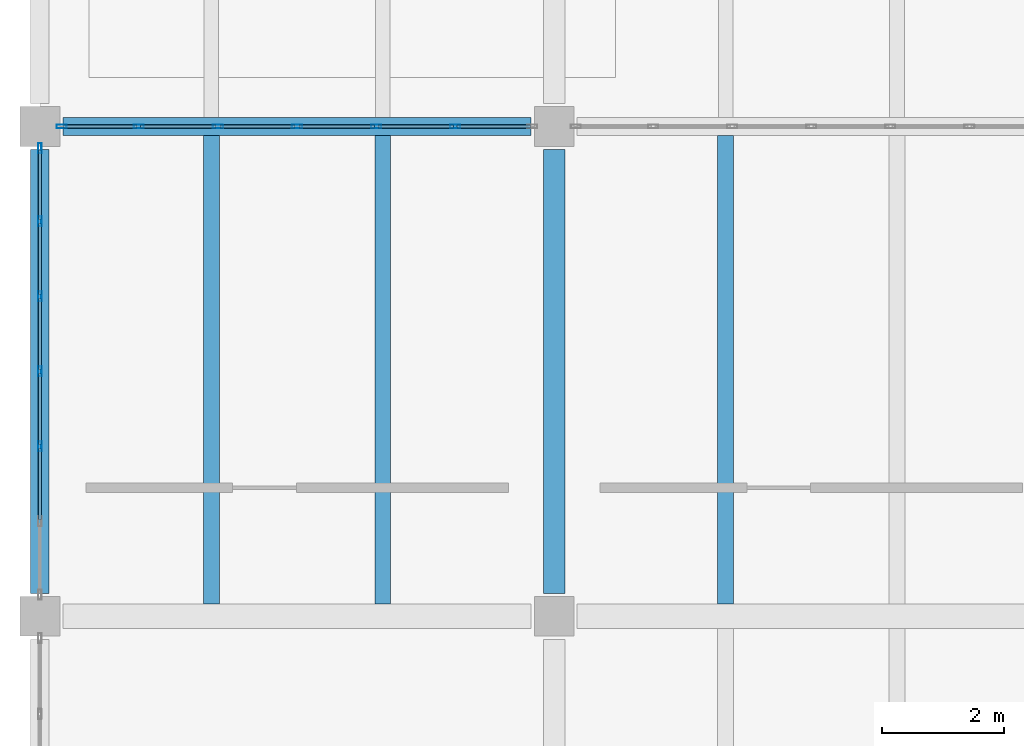
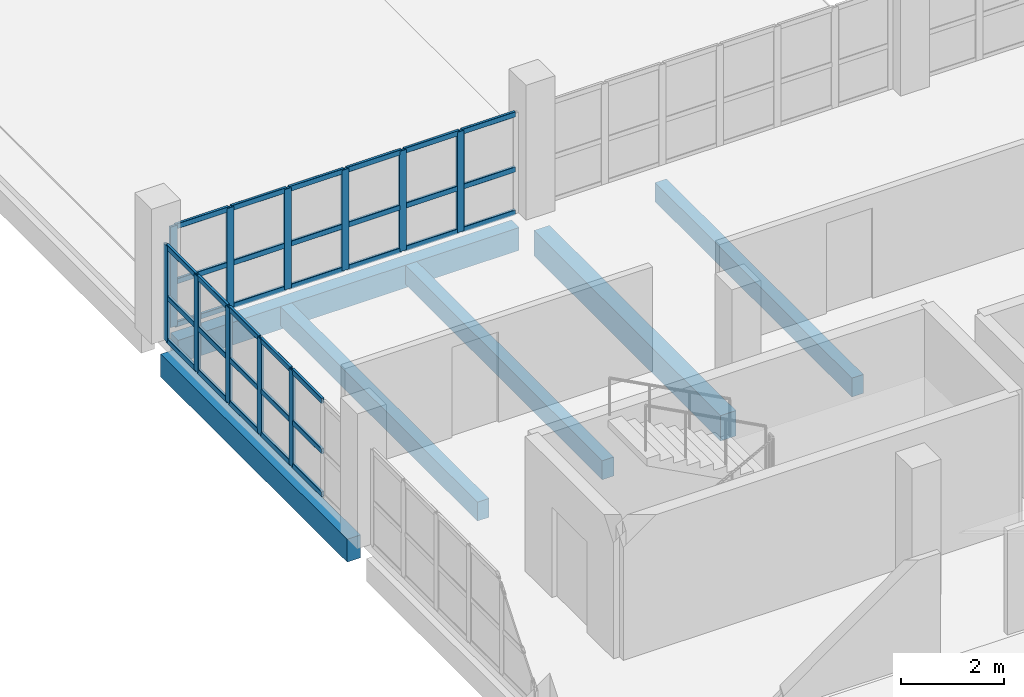
# One storey, part 9 of 33: 44 members, 6 beams, 2 elements without a shape of their own.
"""IFC4 building model written with IfcOpenShell, lengths in metres."""

from ifc_helpers import new_model, si_unit, direction, frame, origin, origin_2d, place, context, subcontext, project, spatial, rectangle, hollow_rectangle, extrude, material, layer, layer_set, material_profile, profile_set, type_object, element, aggregate, save


model = new_model("IFC4")

# Units and contexts
model_context = context("Model", 3, precision=1e-05, world=origin(), true_north=direction((0.0, 1.0)))
body_context = subcontext(model_context, "Body", "Model", "MODEL_VIEW")
ifc_project = project(units=[si_unit("LENGTHUNIT", "METRE"), si_unit("AREAUNIT", "SQUARE_METRE"), si_unit("VOLUMEUNIT", "CUBIC_METRE"), si_unit("PLANEANGLEUNIT", "RADIAN"), si_unit("MASSUNIT", "GRAM", prefix="KILO"), si_unit("THERMODYNAMICTEMPERATUREUNIT", "KELVIN"), si_unit("POWERUNIT", "WATT")], contexts=[model_context])

# Site, building, storey
site_placement = place(None, origin())
site = spatial("IfcSite", under=ifc_project, at=site_placement, CompositionType="ELEMENT")
building_placement = place(site_placement, origin())
building = spatial("IfcBuilding", under=site, at=building_placement, Name="Mavoryth Pier Ferry Terminal", CompositionType="ELEMENT")
storey_placement = place(building_placement, frame((0.0, 0.0, 13.1201171875)))
storey = spatial("IfcBuildingStorey", under=building, at=storey_placement, Name="L03", CompositionType="ELEMENT", Elevation=13.1201171875)

# Beams
ifc_material_1 = material(Name="Concrete C35/45", Category="concrete")
ifc_material_profile_1 = material_profile(ifc_material_1, rectangle(XDim=0.35009765625, YDim=0.60009765625, at=origin_2d()), Name="RC 350x600", Category="concrete")
ifc_profile_set_1 = profile_set([ifc_material_profile_1], Name="Concrete C35/45 - RC 350x600")
beam_type_1 = type_object("IfcBeamType", Name="Girder-RC-350x600", PredefinedType="BEAM", material=ifc_profile_set_1)
beam_1_placement = place(storey_placement, frame((50.39990234375, 14.375, -0.56005859375), z_axis=(0.0, 1.0, 0.0), x_axis=(-1.0, 0.0, 0.0)))
element("IfcBeam", 1, at=beam_1_placement, inside=storey, type_object=beam_type_1, Name="Beam B03-BG08-1262", PredefinedType="BEAM", context=body_context, shape_type="SweptSolid", body=[
    extrude(rectangle(XDim=0.35009765625, YDim=0.60009765625, at=origin_2d()), origin(), (0.0, 0.0, 1.0), 7.25),
])
ifc_material_profile_2 = material_profile(ifc_material_1, rectangle(XDim=0.260009765625, YDim=0.449951171875, at=origin_2d()), Name="RC 260x450", Category="concrete")
ifc_profile_set_2 = profile_set([ifc_material_profile_2], Name="Concrete C35/45 - RC 260x450")
beam_type_2 = type_object("IfcBeamType", Name="Joist-RC-260x450", PredefinedType="JOIST", material=ifc_profile_set_2)
for number, where, z_axis, x_axis, name in (
    (2, (44.800048828125, 14.199951171875, -0.485107421875), (0.0, 1.0, 0.0), (-1.0, 0.0, 0.0), "Beam B03-BJ03-1280"),
    (3, (47.60009765625, 14.199951171875, -0.485107421875), (0.0, 1.0, 0.0), (-1.0, 0.0, 0.0), "Beam B03-BJ03-1281"),
    (4, (53.199951171875, 14.199951171875, -0.485107421875), (0.0, 1.0, 0.0), (-1.0, 0.0, 0.0), "Beam B03-BJ03-1286"),
):
    element("IfcBeam", number, at=place(storey_placement, frame(where, z_axis=z_axis, x_axis=x_axis)), inside=storey, type_object=beam_type_2, Name=name, PredefinedType="JOIST", context=body_context, shape_type="SweptSolid", body=[
        extrude(rectangle(XDim=0.260009765625, YDim=0.449951171875, at=origin_2d()), origin(), (0.0, 0.0, 1.0), 7.650146484375),
    ])

# Curtain wall, members
ifc_material_2 = material(Name="Anodised Aluminium and Solar-Control Low-E Glass", Category="aluminium")
ifc_layer = layer(ifc_material_2, 0.239990234375, Name="Anodised Aluminium and Solar-Control Low-E Glass", Category="aluminium")
ifc_layer_set = layer_set([ifc_layer], Name="Anodised Aluminium and Solar-Control Low-E Glass - CW-Operations-Mod1200")
curtain_wall_type = type_object("IfcCurtainWallType", Name="CW-Operations-Mod1200", PredefinedType="USERDEFINED", material=ifc_layer_set)
curtain_wall_1_placement = place(storey_placement, origin())
curtain_wall_1 = element("IfcCurtainWall", 5, at=curtain_wall_1_placement, inside=storey, type_object=curtain_wall_type, Name="Curtain Wall CW-0322-137", ObjectType="UNITISED CURTAIN WALL", PredefinedType="USERDEFINED")
ifc_material_3 = material(Name="Anodised Aluminium EN AW-6063", Category="aluminium")
ifc_material_profile_3 = material_profile(ifc_material_3, hollow_rectangle(XDim=0.06005859375, YDim=0.1650390625, WallThickness=0.00390625, InnerFilletRadius=0.00390625, OuterFilletRadius=0.008056640625, at=origin_2d()), Name="AL-MULL 165x60x4", Category="aluminium")
ifc_profile_set_3 = profile_set([ifc_material_profile_3], Name="Anodised Aluminium EN AW-6063 - AL-MULL 165x60x4")
member_type_1 = type_object("IfcMemberType", Name="Mullion-Alum-165x60", PredefinedType="MULLION", material=ifc_profile_set_3)
member_1_placement = place(storey_placement, frame((48.783447265625, 22.0, 0.0), z_axis=(0.0, 0.0, 1.0), x_axis=(0.0, -1.0, 0.0)))
member_1 = element("IfcMember", 6, at=member_1_placement, type_object=member_type_1, Name="CW06 mullion 2", PredefinedType="MULLION", context=body_context, shape_type="SweptSolid", body=[
    extrude(hollow_rectangle(XDim=0.06005859375, YDim=0.1650390625, WallThickness=0.00390625, InnerFilletRadius=0.00390625, OuterFilletRadius=0.008056640625, at=origin_2d()), origin(), (0.0, 0.0, 1.0), 2.384765625),
])
member_2_placement = place(storey_placement, frame((47.49169921875, 22.0, 0.0), z_axis=(0.0, 0.0, 1.0), x_axis=(0.0, -1.0, 0.0)))
member_2 = element("IfcMember", 7, at=member_2_placement, type_object=member_type_1, Name="CW06 mullion 3", PredefinedType="MULLION", context=body_context, shape_type="SweptSolid", body=[
    extrude(hollow_rectangle(XDim=0.06005859375, YDim=0.1650390625, WallThickness=0.00390625, InnerFilletRadius=0.00390625, OuterFilletRadius=0.008056640625, at=origin_2d()), origin(), (0.0, 0.0, 1.0), 2.384765625),
])
member_3_placement = place(storey_placement, frame((46.199951171875, 22.0, 0.0), z_axis=(0.0, 0.0, 1.0), x_axis=(0.0, -1.0, 0.0)))
member_3 = element("IfcMember", 8, at=member_3_placement, type_object=member_type_1, Name="CW06 mullion 4", PredefinedType="MULLION", context=body_context, shape_type="SweptSolid", body=[
    extrude(hollow_rectangle(XDim=0.06005859375, YDim=0.1650390625, WallThickness=0.00390625, InnerFilletRadius=0.00390625, OuterFilletRadius=0.008056640625, at=origin_2d()), origin(), (0.0, 0.0, 1.0), 2.384765625),
])
member_4_placement = place(storey_placement, frame((44.908447265625, 22.0, 0.0), z_axis=(0.0, 0.0, 1.0), x_axis=(0.0, -1.0, 0.0)))
member_4 = element("IfcMember", 9, at=member_4_placement, type_object=member_type_1, Name="CW06 mullion 5", PredefinedType="MULLION", context=body_context, shape_type="SweptSolid", body=[
    extrude(hollow_rectangle(XDim=0.06005859375, YDim=0.1650390625, WallThickness=0.00390625, InnerFilletRadius=0.00390625, OuterFilletRadius=0.008056640625, at=origin_2d()), origin(), (0.0, 0.0, 1.0), 2.384765625),
])
member_5_placement = place(storey_placement, frame((43.61669921875, 22.0, 0.0), z_axis=(0.0, 0.0, 1.0), x_axis=(0.0, -1.0, 0.0)))
member_5 = element("IfcMember", 10, at=member_5_placement, type_object=member_type_1, Name="CW06 mullion 6", PredefinedType="MULLION", context=body_context, shape_type="SweptSolid", body=[
    extrude(hollow_rectangle(XDim=0.06005859375, YDim=0.1650390625, WallThickness=0.00390625, InnerFilletRadius=0.00390625, OuterFilletRadius=0.008056640625, at=origin_2d()), origin(), (0.0, 0.0, 1.0), 2.384765625),
])
member_6_placement = place(storey_placement, frame((42.35498046875, 22.0, 0.0), z_axis=(0.0, 0.0, 1.0), x_axis=(0.0, -1.0, 0.0)))
member_6 = element("IfcMember", 11, at=member_6_placement, type_object=member_type_1, Name="CW06 mullion 7", PredefinedType="MULLION", context=body_context, shape_type="SweptSolid", body=[
    extrude(hollow_rectangle(XDim=0.06005859375, YDim=0.1650390625, WallThickness=0.00390625, InnerFilletRadius=0.00390625, OuterFilletRadius=0.008056640625, at=origin_2d()), origin(), (0.0, 0.0, 1.0), 2.384765625),
])

curtain_wall_2_placement = place(storey_placement, origin())
curtain_wall_2 = element("IfcCurtainWall", 12, at=curtain_wall_2_placement, inside=storey, type_object=curtain_wall_type, Name="Curtain Wall CW-0322-148", ObjectType="UNITISED CURTAIN WALL", PredefinedType="USERDEFINED")
member_7_placement = place(storey_placement, frame((42.0, 21.64501953125, 0.0), z_axis=(0.0, 0.0, 1.0), x_axis=(1.0, 0.0, 0.0)))
member_7 = element("IfcMember", 13, at=member_7_placement, type_object=member_type_1, Name="CW06 mullion 1", PredefinedType="MULLION", context=body_context, shape_type="SweptSolid", body=[
    extrude(hollow_rectangle(XDim=0.06005859375, YDim=0.1650390625, WallThickness=0.00390625, InnerFilletRadius=0.00390625, OuterFilletRadius=0.008056640625, at=origin_2d()), origin(), (0.0, 0.0, 1.0), 2.27490234375),
])
member_8_placement = place(storey_placement, frame((42.0, 20.449951171875, 0.0), z_axis=(0.0, 0.0, 1.0), x_axis=(1.0, 0.0, 0.0)))
member_8 = element("IfcMember", 14, at=member_8_placement, type_object=member_type_1, Name="CW06 mullion 2", PredefinedType="MULLION", context=body_context, shape_type="SweptSolid", body=[
    extrude(hollow_rectangle(XDim=0.06005859375, YDim=0.1650390625, WallThickness=0.00390625, InnerFilletRadius=0.00390625, OuterFilletRadius=0.008056640625, at=origin_2d()), origin(), (0.0, 0.0, 1.0), 2.27490234375),
])
member_9_placement = place(storey_placement, frame((42.0, 19.22509765625, 0.0), z_axis=(0.0, 0.0, 1.0), x_axis=(1.0, 0.0, 0.0)))
member_9 = element("IfcMember", 15, at=member_9_placement, type_object=member_type_1, Name="CW06 mullion 3", PredefinedType="MULLION", context=body_context, shape_type="SweptSolid", body=[
    extrude(hollow_rectangle(XDim=0.06005859375, YDim=0.1650390625, WallThickness=0.00390625, InnerFilletRadius=0.00390625, OuterFilletRadius=0.008056640625, at=origin_2d()), origin(), (0.0, 0.0, 1.0), 2.27490234375),
])
member_10_placement = place(storey_placement, frame((42.0, 18.0, 0.0), z_axis=(0.0, 0.0, 1.0), x_axis=(1.0, 0.0, 0.0)))
member_10 = element("IfcMember", 16, at=member_10_placement, type_object=member_type_1, Name="CW06 mullion 4", PredefinedType="MULLION", context=body_context, shape_type="SweptSolid", body=[
    extrude(hollow_rectangle(XDim=0.06005859375, YDim=0.1650390625, WallThickness=0.00390625, InnerFilletRadius=0.00390625, OuterFilletRadius=0.008056640625, at=origin_2d()), origin(), (0.0, 0.0, 1.0), 2.27490234375),
])
member_11_placement = place(storey_placement, frame((42.0, 16.77490234375, 0.0), z_axis=(0.0, 0.0, 1.0), x_axis=(1.0, 0.0, 0.0)))
member_11 = element("IfcMember", 17, at=member_11_placement, type_object=member_type_1, Name="CW06 mullion 5", PredefinedType="MULLION", context=body_context, shape_type="SweptSolid", body=[
    extrude(hollow_rectangle(XDim=0.06005859375, YDim=0.1650390625, WallThickness=0.00390625, InnerFilletRadius=0.00390625, OuterFilletRadius=0.008056640625, at=origin_2d()), origin(), (0.0, 0.0, 1.0), 2.27490234375),
])

# Beams
ifc_material_profile_4 = material_profile(ifc_material_1, rectangle(XDim=0.300048828125, YDim=0.5400390625, at=origin_2d()), Name="RC 300x540", Category="concrete")
ifc_profile_set_4 = profile_set([ifc_material_profile_4], Name="Concrete C35/45 - RC 300x540")
beam_type_3 = type_object("IfcBeamType", Name="Spandrel-RC-300x540", PredefinedType="SPANDREL", material=ifc_profile_set_4)
beam_2_placement = place(storey_placement, frame((42.375, 22.0, -0.530029296875), z_axis=(1.0, 0.0, 0.0), x_axis=(0.0, 1.0, 0.0)))
element("IfcBeam", 18, at=beam_2_placement, inside=storey, type_object=beam_type_3, Name="Beam B03-SP02-1251", PredefinedType="SPANDREL", context=body_context, shape_type="SweptSolid", body=[
    extrude(rectangle(XDim=0.300048828125, YDim=0.5400390625, at=origin_2d()), origin(), (0.0, 0.0, 1.0), 7.64990234375),
])
beam_3_placement = place(storey_placement, frame((42.0, 14.375, -0.530029296875), z_axis=(0.0, 1.0, 0.0), x_axis=(-1.0, 0.0, 0.0)))
element("IfcBeam", 19, at=beam_3_placement, inside=storey, type_object=beam_type_3, Name="Beam B03-SP02-1259", PredefinedType="SPANDREL", context=body_context, shape_type="SweptSolid", body=[
    extrude(rectangle(XDim=0.300048828125, YDim=0.5400390625, at=origin_2d()), origin(), (0.0, 0.0, 1.0), 7.25),
])

# Member
ifc_material_profile_5 = material_profile(ifc_material_3, hollow_rectangle(XDim=0.06005859375, YDim=0.125, WallThickness=0.00390625, InnerFilletRadius=0.00390625, OuterFilletRadius=0.008056640625, at=origin_2d()), Name="AL-TRAN 125x60x4", Category="aluminium")
ifc_profile_set_5 = profile_set([ifc_material_profile_5], Name="Anodised Aluminium EN AW-6063 - AL-TRAN 125x60x4")
member_type_2 = type_object("IfcMemberType", Name="Transom-Alum-125x60", PredefinedType="USERDEFINED", material=ifc_profile_set_5)
member_12_placement = place(storey_placement, frame((50.014892578125, 22.0, 0.02978515625), z_axis=(-1.0, 0.0, 0.0), x_axis=(0.0, -1.0, 0.0)))
member_12 = element("IfcMember", 20, at=member_12_placement, type_object=member_type_2, Name="CW06 transom 1.1", ObjectType="TRANSOM", PredefinedType="USERDEFINED", context=body_context, shape_type="SweptSolid", body=[
    extrude(hollow_rectangle(XDim=0.06005859375, YDim=0.125, WallThickness=0.00390625, InnerFilletRadius=0.00390625, OuterFilletRadius=0.008056640625, at=origin_2d()), origin(), (0.0, 0.0, 1.0), 1.20166015625),
])

member_13_placement = place(storey_placement, frame((50.014892578125, 22.0, 1.0498046875), z_axis=(-1.0, 0.0, 0.0), x_axis=(0.0, -1.0, 0.0)))
member_13 = element("IfcMember", 21, at=member_13_placement, type_object=member_type_2, Name="CW06 transom 1.2", ObjectType="TRANSOM", PredefinedType="USERDEFINED", context=body_context, shape_type="SweptSolid", body=[
    extrude(hollow_rectangle(XDim=0.06005859375, YDim=0.125, WallThickness=0.00390625, InnerFilletRadius=0.00390625, OuterFilletRadius=0.008056640625, at=origin_2d()), origin(), (0.0, 0.0, 1.0), 1.20166015625),
])

member_14_placement = place(storey_placement, frame((50.014892578125, 22.0, 2.35498046875), z_axis=(-1.0, 0.0, 0.0), x_axis=(0.0, -1.0, 0.0)))
member_14 = element("IfcMember", 22, at=member_14_placement, type_object=member_type_2, Name="CW06 transom 1.3", ObjectType="TRANSOM", PredefinedType="USERDEFINED", context=body_context, shape_type="SweptSolid", body=[
    extrude(hollow_rectangle(XDim=0.06005859375, YDim=0.125, WallThickness=0.00390625, InnerFilletRadius=0.00390625, OuterFilletRadius=0.008056640625, at=origin_2d()), origin(), (0.0, 0.0, 1.0), 1.20166015625),
])

member_15_placement = place(storey_placement, frame((48.75341796875, 22.0, 0.02978515625), z_axis=(-1.0, 0.0, 0.0), x_axis=(0.0, -1.0, 0.0)))
member_15 = element("IfcMember", 23, at=member_15_placement, type_object=member_type_2, Name="CW06 transom 2.1", ObjectType="TRANSOM", PredefinedType="USERDEFINED", context=body_context, shape_type="SweptSolid", body=[
    extrude(hollow_rectangle(XDim=0.06005859375, YDim=0.125, WallThickness=0.00390625, InnerFilletRadius=0.00390625, OuterFilletRadius=0.008056640625, at=origin_2d()), origin(), (0.0, 0.0, 1.0), 1.231689453125),
])

member_16_placement = place(storey_placement, frame((48.75341796875, 22.0, 1.0498046875), z_axis=(-1.0, 0.0, 0.0), x_axis=(0.0, -1.0, 0.0)))
member_16 = element("IfcMember", 24, at=member_16_placement, type_object=member_type_2, Name="CW06 transom 2.2", ObjectType="TRANSOM", PredefinedType="USERDEFINED", context=body_context, shape_type="SweptSolid", body=[
    extrude(hollow_rectangle(XDim=0.06005859375, YDim=0.125, WallThickness=0.00390625, InnerFilletRadius=0.00390625, OuterFilletRadius=0.008056640625, at=origin_2d()), origin(), (0.0, 0.0, 1.0), 1.231689453125),
])

member_17_placement = place(storey_placement, frame((48.75341796875, 22.0, 2.35498046875), z_axis=(-1.0, 0.0, 0.0), x_axis=(0.0, -1.0, 0.0)))
member_17 = element("IfcMember", 25, at=member_17_placement, type_object=member_type_2, Name="CW06 transom 2.3", ObjectType="TRANSOM", PredefinedType="USERDEFINED", context=body_context, shape_type="SweptSolid", body=[
    extrude(hollow_rectangle(XDim=0.06005859375, YDim=0.125, WallThickness=0.00390625, InnerFilletRadius=0.00390625, OuterFilletRadius=0.008056640625, at=origin_2d()), origin(), (0.0, 0.0, 1.0), 1.231689453125),
])

member_18_placement = place(storey_placement, frame((47.461669921875, 22.0, 0.02978515625), z_axis=(-1.0, 0.0, 0.0), x_axis=(0.0, -1.0, 0.0)))
member_18 = element("IfcMember", 26, at=member_18_placement, type_object=member_type_2, Name="CW06 transom 3.1", ObjectType="TRANSOM", PredefinedType="USERDEFINED", context=body_context, shape_type="SweptSolid", body=[
    extrude(hollow_rectangle(XDim=0.06005859375, YDim=0.125, WallThickness=0.00390625, InnerFilletRadius=0.00390625, OuterFilletRadius=0.008056640625, at=origin_2d()), origin(), (0.0, 0.0, 1.0), 1.231689453125),
])

member_19_placement = place(storey_placement, frame((47.461669921875, 22.0, 1.0498046875), z_axis=(-1.0, 0.0, 0.0), x_axis=(0.0, -1.0, 0.0)))
member_19 = element("IfcMember", 27, at=member_19_placement, type_object=member_type_2, Name="CW06 transom 3.2", ObjectType="TRANSOM", PredefinedType="USERDEFINED", context=body_context, shape_type="SweptSolid", body=[
    extrude(hollow_rectangle(XDim=0.06005859375, YDim=0.125, WallThickness=0.00390625, InnerFilletRadius=0.00390625, OuterFilletRadius=0.008056640625, at=origin_2d()), origin(), (0.0, 0.0, 1.0), 1.231689453125),
])

member_20_placement = place(storey_placement, frame((47.461669921875, 22.0, 2.35498046875), z_axis=(-1.0, 0.0, 0.0), x_axis=(0.0, -1.0, 0.0)))
member_20 = element("IfcMember", 28, at=member_20_placement, type_object=member_type_2, Name="CW06 transom 3.3", ObjectType="TRANSOM", PredefinedType="USERDEFINED", context=body_context, shape_type="SweptSolid", body=[
    extrude(hollow_rectangle(XDim=0.06005859375, YDim=0.125, WallThickness=0.00390625, InnerFilletRadius=0.00390625, OuterFilletRadius=0.008056640625, at=origin_2d()), origin(), (0.0, 0.0, 1.0), 1.231689453125),
])

member_21_placement = place(storey_placement, frame((46.169921875, 22.0, 0.02978515625), z_axis=(-1.0, 0.0, 0.0), x_axis=(0.0, -1.0, 0.0)))
member_21 = element("IfcMember", 29, at=member_21_placement, type_object=member_type_2, Name="CW06 transom 4.1", ObjectType="TRANSOM", PredefinedType="USERDEFINED", context=body_context, shape_type="SweptSolid", body=[
    extrude(hollow_rectangle(XDim=0.06005859375, YDim=0.125, WallThickness=0.00390625, InnerFilletRadius=0.00390625, OuterFilletRadius=0.008056640625, at=origin_2d()), origin(), (0.0, 0.0, 1.0), 1.231689453125),
])

member_22_placement = place(storey_placement, frame((46.169921875, 22.0, 1.0498046875), z_axis=(-1.0, 0.0, 0.0), x_axis=(0.0, -1.0, 0.0)))
member_22 = element("IfcMember", 30, at=member_22_placement, type_object=member_type_2, Name="CW06 transom 4.2", ObjectType="TRANSOM", PredefinedType="USERDEFINED", context=body_context, shape_type="SweptSolid", body=[
    extrude(hollow_rectangle(XDim=0.06005859375, YDim=0.125, WallThickness=0.00390625, InnerFilletRadius=0.00390625, OuterFilletRadius=0.008056640625, at=origin_2d()), origin(), (0.0, 0.0, 1.0), 1.231689453125),
])

member_23_placement = place(storey_placement, frame((46.169921875, 22.0, 2.35498046875), z_axis=(-1.0, 0.0, 0.0), x_axis=(0.0, -1.0, 0.0)))
member_23 = element("IfcMember", 31, at=member_23_placement, type_object=member_type_2, Name="CW06 transom 4.3", ObjectType="TRANSOM", PredefinedType="USERDEFINED", context=body_context, shape_type="SweptSolid", body=[
    extrude(hollow_rectangle(XDim=0.06005859375, YDim=0.125, WallThickness=0.00390625, InnerFilletRadius=0.00390625, OuterFilletRadius=0.008056640625, at=origin_2d()), origin(), (0.0, 0.0, 1.0), 1.231689453125),
])

member_24_placement = place(storey_placement, frame((44.87841796875, 22.0, 0.02978515625), z_axis=(-1.0, 0.0, 0.0), x_axis=(0.0, -1.0, 0.0)))
member_24 = element("IfcMember", 32, at=member_24_placement, type_object=member_type_2, Name="CW06 transom 5.1", ObjectType="TRANSOM", PredefinedType="USERDEFINED", context=body_context, shape_type="SweptSolid", body=[
    extrude(hollow_rectangle(XDim=0.06005859375, YDim=0.125, WallThickness=0.00390625, InnerFilletRadius=0.00390625, OuterFilletRadius=0.008056640625, at=origin_2d()), origin(), (0.0, 0.0, 1.0), 1.231689453125),
])

member_25_placement = place(storey_placement, frame((44.87841796875, 22.0, 1.0498046875), z_axis=(-1.0, 0.0, 0.0), x_axis=(0.0, -1.0, 0.0)))
member_25 = element("IfcMember", 33, at=member_25_placement, type_object=member_type_2, Name="CW06 transom 5.2", ObjectType="TRANSOM", PredefinedType="USERDEFINED", context=body_context, shape_type="SweptSolid", body=[
    extrude(hollow_rectangle(XDim=0.06005859375, YDim=0.125, WallThickness=0.00390625, InnerFilletRadius=0.00390625, OuterFilletRadius=0.008056640625, at=origin_2d()), origin(), (0.0, 0.0, 1.0), 1.231689453125),
])

member_26_placement = place(storey_placement, frame((44.87841796875, 22.0, 2.35498046875), z_axis=(-1.0, 0.0, 0.0), x_axis=(0.0, -1.0, 0.0)))
member_26 = element("IfcMember", 34, at=member_26_placement, type_object=member_type_2, Name="CW06 transom 5.3", ObjectType="TRANSOM", PredefinedType="USERDEFINED", context=body_context, shape_type="SweptSolid", body=[
    extrude(hollow_rectangle(XDim=0.06005859375, YDim=0.125, WallThickness=0.00390625, InnerFilletRadius=0.00390625, OuterFilletRadius=0.008056640625, at=origin_2d()), origin(), (0.0, 0.0, 1.0), 1.231689453125),
])

member_27_placement = place(storey_placement, frame((43.586669921875, 22.0, 0.02978515625), z_axis=(-1.0, 0.0, 0.0), x_axis=(0.0, -1.0, 0.0)))
member_27 = element("IfcMember", 35, at=member_27_placement, type_object=member_type_2, Name="CW06 transom 6.1", ObjectType="TRANSOM", PredefinedType="USERDEFINED", context=body_context, shape_type="SweptSolid", body=[
    extrude(hollow_rectangle(XDim=0.06005859375, YDim=0.125, WallThickness=0.00390625, InnerFilletRadius=0.00390625, OuterFilletRadius=0.008056640625, at=origin_2d()), origin(), (0.0, 0.0, 1.0), 1.20166015625),
])

member_28_placement = place(storey_placement, frame((43.586669921875, 22.0, 1.0498046875), z_axis=(-1.0, 0.0, 0.0), x_axis=(0.0, -1.0, 0.0)))
member_28 = element("IfcMember", 36, at=member_28_placement, type_object=member_type_2, Name="CW06 transom 6.2", ObjectType="TRANSOM", PredefinedType="USERDEFINED", context=body_context, shape_type="SweptSolid", body=[
    extrude(hollow_rectangle(XDim=0.06005859375, YDim=0.125, WallThickness=0.00390625, InnerFilletRadius=0.00390625, OuterFilletRadius=0.008056640625, at=origin_2d()), origin(), (0.0, 0.0, 1.0), 1.20166015625),
])

member_29_placement = place(storey_placement, frame((43.586669921875, 22.0, 2.35498046875), z_axis=(-1.0, 0.0, 0.0), x_axis=(0.0, -1.0, 0.0)))
member_29 = element("IfcMember", 37, at=member_29_placement, type_object=member_type_2, Name="CW06 transom 6.3", ObjectType="TRANSOM", PredefinedType="USERDEFINED", context=body_context, shape_type="SweptSolid", body=[
    extrude(hollow_rectangle(XDim=0.06005859375, YDim=0.125, WallThickness=0.00390625, InnerFilletRadius=0.00390625, OuterFilletRadius=0.008056640625, at=origin_2d()), origin(), (0.0, 0.0, 1.0), 1.20166015625),
])

aggregate(curtain_wall_1, [member_1, member_2, member_3, member_4, member_5, member_6, member_12, member_13, member_14, member_15, member_16, member_17, member_18, member_19, member_20, member_21, member_22, member_23, member_24, member_25, member_26, member_27, member_28, member_29])

member_30_placement = place(storey_placement, frame((42.0, 21.614990234375, 0.02978515625), z_axis=(0.0, -1.0, 0.0), x_axis=(1.0, 0.0, 0.0)))
member_30 = element("IfcMember", 38, at=member_30_placement, type_object=member_type_2, Name="CW06 transom 1.1", ObjectType="TRANSOM", PredefinedType="USERDEFINED", context=body_context, shape_type="SweptSolid", body=[
    extrude(hollow_rectangle(XDim=0.06005859375, YDim=0.125, WallThickness=0.00390625, InnerFilletRadius=0.00390625, OuterFilletRadius=0.008056640625, at=origin_2d()), origin(), (0.0, 0.0, 1.0), 1.135009765625),
])

member_31_placement = place(storey_placement, frame((42.0, 21.614990234375, 1.0498046875), z_axis=(0.0, -1.0, 0.0), x_axis=(1.0, 0.0, 0.0)))
member_31 = element("IfcMember", 39, at=member_31_placement, type_object=member_type_2, Name="CW06 transom 1.2", ObjectType="TRANSOM", PredefinedType="USERDEFINED", context=body_context, shape_type="SweptSolid", body=[
    extrude(hollow_rectangle(XDim=0.06005859375, YDim=0.125, WallThickness=0.00390625, InnerFilletRadius=0.00390625, OuterFilletRadius=0.008056640625, at=origin_2d()), origin(), (0.0, 0.0, 1.0), 1.135009765625),
])

member_32_placement = place(storey_placement, frame((42.0, 21.614990234375, 2.244873046875), z_axis=(0.0, -1.0, 0.0), x_axis=(1.0, 0.0, 0.0)))
member_32 = element("IfcMember", 40, at=member_32_placement, type_object=member_type_2, Name="CW06 transom 1.3", ObjectType="TRANSOM", PredefinedType="USERDEFINED", context=body_context, shape_type="SweptSolid", body=[
    extrude(hollow_rectangle(XDim=0.06005859375, YDim=0.125, WallThickness=0.00390625, InnerFilletRadius=0.00390625, OuterFilletRadius=0.008056640625, at=origin_2d()), origin(), (0.0, 0.0, 1.0), 1.135009765625),
])

member_33_placement = place(storey_placement, frame((42.0, 20.419921875, 0.02978515625), z_axis=(0.0, -1.0, 0.0), x_axis=(1.0, 0.0, 0.0)))
member_33 = element("IfcMember", 41, at=member_33_placement, type_object=member_type_2, Name="CW06 transom 2.1", ObjectType="TRANSOM", PredefinedType="USERDEFINED", context=body_context, shape_type="SweptSolid", body=[
    extrude(hollow_rectangle(XDim=0.06005859375, YDim=0.125, WallThickness=0.00390625, InnerFilletRadius=0.00390625, OuterFilletRadius=0.008056640625, at=origin_2d()), origin(), (0.0, 0.0, 1.0), 1.1650390625),
])

member_34_placement = place(storey_placement, frame((42.0, 20.419921875, 1.0498046875), z_axis=(0.0, -1.0, 0.0), x_axis=(1.0, 0.0, 0.0)))
member_34 = element("IfcMember", 42, at=member_34_placement, type_object=member_type_2, Name="CW06 transom 2.2", ObjectType="TRANSOM", PredefinedType="USERDEFINED", context=body_context, shape_type="SweptSolid", body=[
    extrude(hollow_rectangle(XDim=0.06005859375, YDim=0.125, WallThickness=0.00390625, InnerFilletRadius=0.00390625, OuterFilletRadius=0.008056640625, at=origin_2d()), origin(), (0.0, 0.0, 1.0), 1.1650390625),
])

member_35_placement = place(storey_placement, frame((42.0, 20.419921875, 2.244873046875), z_axis=(0.0, -1.0, 0.0), x_axis=(1.0, 0.0, 0.0)))
member_35 = element("IfcMember", 43, at=member_35_placement, type_object=member_type_2, Name="CW06 transom 2.3", ObjectType="TRANSOM", PredefinedType="USERDEFINED", context=body_context, shape_type="SweptSolid", body=[
    extrude(hollow_rectangle(XDim=0.06005859375, YDim=0.125, WallThickness=0.00390625, InnerFilletRadius=0.00390625, OuterFilletRadius=0.008056640625, at=origin_2d()), origin(), (0.0, 0.0, 1.0), 1.1650390625),
])

member_36_placement = place(storey_placement, frame((42.0, 19.195068359375, 0.02978515625), z_axis=(0.0, -1.0, 0.0), x_axis=(1.0, 0.0, 0.0)))
member_36 = element("IfcMember", 44, at=member_36_placement, type_object=member_type_2, Name="CW06 transom 3.1", ObjectType="TRANSOM", PredefinedType="USERDEFINED", context=body_context, shape_type="SweptSolid", body=[
    extrude(hollow_rectangle(XDim=0.06005859375, YDim=0.125, WallThickness=0.00390625, InnerFilletRadius=0.00390625, OuterFilletRadius=0.008056640625, at=origin_2d()), origin(), (0.0, 0.0, 1.0), 1.1650390625),
])

member_37_placement = place(storey_placement, frame((42.0, 19.195068359375, 1.0498046875), z_axis=(0.0, -1.0, 0.0), x_axis=(1.0, 0.0, 0.0)))
member_37 = element("IfcMember", 45, at=member_37_placement, type_object=member_type_2, Name="CW06 transom 3.2", ObjectType="TRANSOM", PredefinedType="USERDEFINED", context=body_context, shape_type="SweptSolid", body=[
    extrude(hollow_rectangle(XDim=0.06005859375, YDim=0.125, WallThickness=0.00390625, InnerFilletRadius=0.00390625, OuterFilletRadius=0.008056640625, at=origin_2d()), origin(), (0.0, 0.0, 1.0), 1.1650390625),
])

member_38_placement = place(storey_placement, frame((42.0, 19.195068359375, 2.244873046875), z_axis=(0.0, -1.0, 0.0), x_axis=(1.0, 0.0, 0.0)))
member_38 = element("IfcMember", 46, at=member_38_placement, type_object=member_type_2, Name="CW06 transom 3.3", ObjectType="TRANSOM", PredefinedType="USERDEFINED", context=body_context, shape_type="SweptSolid", body=[
    extrude(hollow_rectangle(XDim=0.06005859375, YDim=0.125, WallThickness=0.00390625, InnerFilletRadius=0.00390625, OuterFilletRadius=0.008056640625, at=origin_2d()), origin(), (0.0, 0.0, 1.0), 1.1650390625),
])

member_39_placement = place(storey_placement, frame((42.0, 17.969970703125, 0.02978515625), z_axis=(0.0, -1.0, 0.0), x_axis=(1.0, 0.0, 0.0)))
member_39 = element("IfcMember", 47, at=member_39_placement, type_object=member_type_2, Name="CW06 transom 4.1", ObjectType="TRANSOM", PredefinedType="USERDEFINED", context=body_context, shape_type="SweptSolid", body=[
    extrude(hollow_rectangle(XDim=0.06005859375, YDim=0.125, WallThickness=0.00390625, InnerFilletRadius=0.00390625, OuterFilletRadius=0.008056640625, at=origin_2d()), origin(), (0.0, 0.0, 1.0), 1.1650390625),
])

member_40_placement = place(storey_placement, frame((42.0, 17.969970703125, 1.0498046875), z_axis=(0.0, -1.0, 0.0), x_axis=(1.0, 0.0, 0.0)))
member_40 = element("IfcMember", 48, at=member_40_placement, type_object=member_type_2, Name="CW06 transom 4.2", ObjectType="TRANSOM", PredefinedType="USERDEFINED", context=body_context, shape_type="SweptSolid", body=[
    extrude(hollow_rectangle(XDim=0.06005859375, YDim=0.125, WallThickness=0.00390625, InnerFilletRadius=0.00390625, OuterFilletRadius=0.008056640625, at=origin_2d()), origin(), (0.0, 0.0, 1.0), 1.1650390625),
])

member_41_placement = place(storey_placement, frame((42.0, 17.969970703125, 2.244873046875), z_axis=(0.0, -1.0, 0.0), x_axis=(1.0, 0.0, 0.0)))
member_41 = element("IfcMember", 49, at=member_41_placement, type_object=member_type_2, Name="CW06 transom 4.3", ObjectType="TRANSOM", PredefinedType="USERDEFINED", context=body_context, shape_type="SweptSolid", body=[
    extrude(hollow_rectangle(XDim=0.06005859375, YDim=0.125, WallThickness=0.00390625, InnerFilletRadius=0.00390625, OuterFilletRadius=0.008056640625, at=origin_2d()), origin(), (0.0, 0.0, 1.0), 1.1650390625),
])

member_42_placement = place(storey_placement, frame((42.0, 16.7451171875, 0.02978515625), z_axis=(0.0, -1.0, 0.0), x_axis=(1.0, 0.0, 0.0)))
member_42 = element("IfcMember", 50, at=member_42_placement, type_object=member_type_2, Name="CW06 transom 5.1", ObjectType="TRANSOM", PredefinedType="USERDEFINED", context=body_context, shape_type="SweptSolid", body=[
    extrude(hollow_rectangle(XDim=0.06005859375, YDim=0.125, WallThickness=0.00390625, InnerFilletRadius=0.00390625, OuterFilletRadius=0.008056640625, at=origin_2d()), origin(), (0.0, 0.0, 1.0), 1.1650390625),
])

member_43_placement = place(storey_placement, frame((42.0, 16.7451171875, 1.0498046875), z_axis=(0.0, -1.0, 0.0), x_axis=(1.0, 0.0, 0.0)))
member_43 = element("IfcMember", 51, at=member_43_placement, type_object=member_type_2, Name="CW06 transom 5.2", ObjectType="TRANSOM", PredefinedType="USERDEFINED", context=body_context, shape_type="SweptSolid", body=[
    extrude(hollow_rectangle(XDim=0.06005859375, YDim=0.125, WallThickness=0.00390625, InnerFilletRadius=0.00390625, OuterFilletRadius=0.008056640625, at=origin_2d()), origin(), (0.0, 0.0, 1.0), 1.1650390625),
])

member_44_placement = place(storey_placement, frame((42.0, 16.7451171875, 2.244873046875), z_axis=(0.0, -1.0, 0.0), x_axis=(1.0, 0.0, 0.0)))
member_44 = element("IfcMember", 52, at=member_44_placement, type_object=member_type_2, Name="CW06 transom 5.3", ObjectType="TRANSOM", PredefinedType="USERDEFINED", context=body_context, shape_type="SweptSolid", body=[
    extrude(hollow_rectangle(XDim=0.06005859375, YDim=0.125, WallThickness=0.00390625, InnerFilletRadius=0.00390625, OuterFilletRadius=0.008056640625, at=origin_2d()), origin(), (0.0, 0.0, 1.0), 1.1650390625),
])

aggregate(curtain_wall_2, [member_7, member_8, member_9, member_10, member_11, member_30, member_31, member_32, member_33, member_34, member_35, member_36, member_37, member_38, member_39, member_40, member_41, member_42, member_43, member_44])

save(model, "model.ifc")
